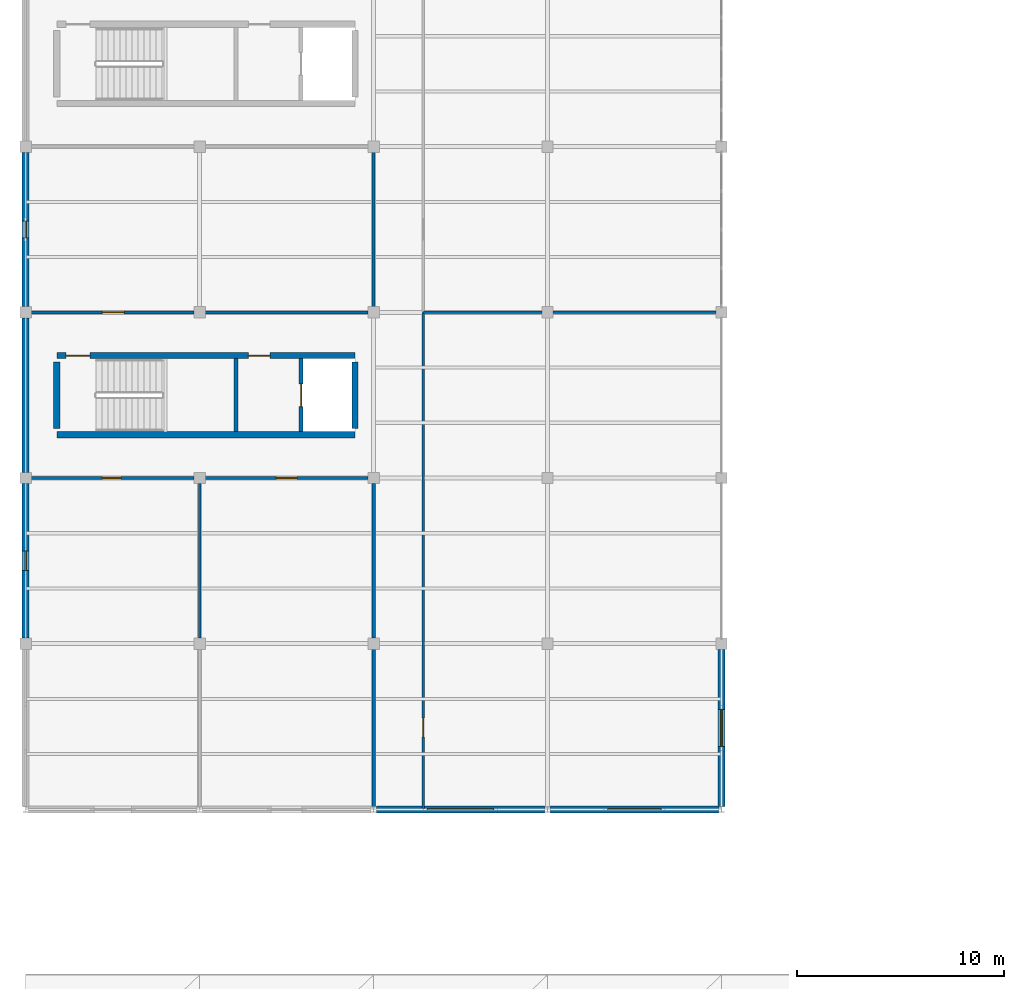
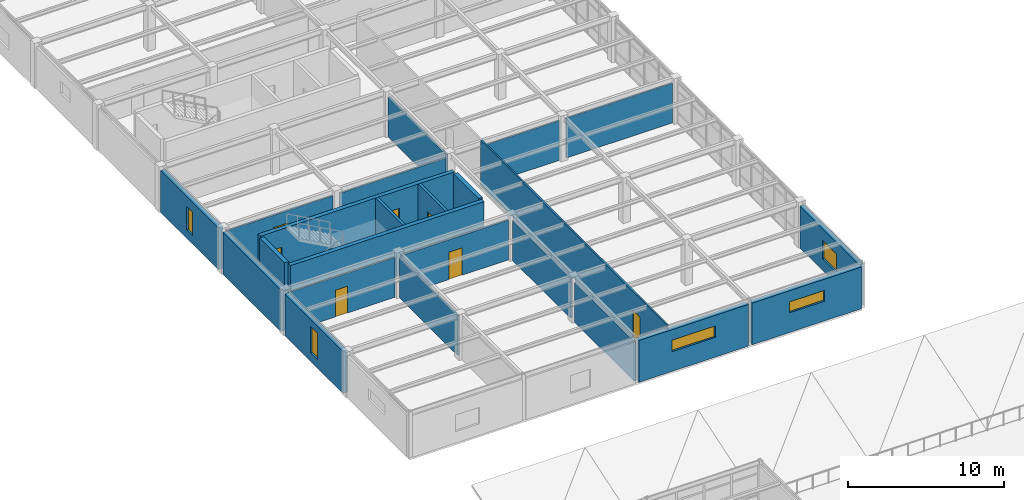
# One storey, part 41 of 53: 23 walls, 7 doors, 5 windows, 12 openings.
"""IFC4 building model written with IfcOpenShell, lengths in metres."""

from ifc_helpers import new_model, si_unit, direction, frame, frame_2d, origin, place, context, subcontext, project, spatial, rectangle, extrude, material, layer, layer_set, type_object, element, fill, save


model = new_model("IFC4")

# Units and contexts
model_context = context("Model", 3, precision=1e-05, world=origin(), true_north=direction((0.0, 1.0)))
body_context = subcontext(model_context, "Body", "Model", "MODEL_VIEW")
ifc_project = project(units=[si_unit("LENGTHUNIT", "METRE"), si_unit("AREAUNIT", "SQUARE_METRE"), si_unit("VOLUMEUNIT", "CUBIC_METRE"), si_unit("PLANEANGLEUNIT", "RADIAN"), si_unit("MASSUNIT", "GRAM", prefix="KILO")], contexts=[model_context])

# Site, building, storey
site_placement = place(None, origin())
site = spatial("IfcSite", under=ifc_project, at=site_placement, CompositionType="ELEMENT")
building_placement = place(site_placement, origin())
building = spatial("IfcBuilding", under=site, at=building_placement, Name="Kranzveld Transit Interchange", CompositionType="ELEMENT")
storey_placement = place(building_placement, frame((0.0, 0.0, 13.360107421875)))
storey = spatial("IfcBuildingStorey", under=building, at=storey_placement, Name="L03", CompositionType="ELEMENT", Elevation=13.360107421875)

# Wall, opening, door
ifc_material_1 = material(Name="Clay masonry unit wall, 20 MPa", Category="masonry")
ifc_layer_1 = layer(ifc_material_1, 0.1650390625)
ifc_layer_set_1 = layer_set([ifc_layer_1], Name="Clay masonry unit wall, 20 MPa")
wall_type_1 = type_object("IfcWallType", Name="Acoustic Double-Stud Partition 165", PredefinedType="PARTITIONING", material=ifc_layer_set_1)
wall_1_placement = place(storey_placement, frame((8.6650390625, 64.0, 0.0), z_axis=(0.0, 0.0, 1.0), x_axis=(1.0, 0.0, 0.0)))
wall_1 = element("IfcWall", 1, at=wall_1_placement, inside=storey, type_object=wall_type_1, Name="L03 Partition IW-L03-L03V5S-FRT-312-0", PredefinedType="PARTITIONING", context=body_context, shape_type="SweptSolid", body=[
    extrude(rectangle(XDim=7.869873046875, YDim=0.1650390625, at=frame_2d((3.93505859375, 0.0))), origin(), (0.0, 0.0, 1.0), 3.122802734375),
])
opening_1_placement = place(wall_1_placement, frame((4.43505859375, 0.0, 0.0), z_axis=(0.0, 0.0, 1.0), x_axis=(-1.0, 0.0, 0.0)))
opening_1 = element("IfcOpeningElement", 2, at=opening_1_placement, cuts=wall_1, Name="Opening D-312", PredefinedType="OPENING", context=body_context, shape_type="SweptSolid", body=[
    extrude(rectangle(XDim=1.0, YDim=2.14990234375, at=frame_2d((0.5, 1.074951171875))), frame((0.0, 0.092529296875, 0.0), z_axis=(0.0, -1.0, 0.0), x_axis=(1.0, 0.0, 0.0)), (0.0, 0.0, 1.0), 0.18505859375),
])
ifc_material_2 = material(Name="Bronze-anodised thermally broken aluminium", Category="aluminium")
door_type_1 = type_object("IfcDoorType", Name="Acoustic Timber Door 1000x2150", OperationType="NOTDEFINED", PredefinedType="DOOR", material=ifc_material_2)
door_1_placement = place(opening_1_placement, origin())
door_1 = element("IfcDoor", 3, at=door_1_placement, inside=storey, type_object=door_type_1, Name="L03 Interior Door D-312", OperationType="SINGLE_SWING_RIGHT", OverallHeight=2.14990234375, OverallWidth=1.0, PredefinedType="DOOR", context=body_context, shape_type="SweptSolid", body=[
    extrude(rectangle(XDim=1.0, YDim=2.14990234375, at=frame_2d((0.5, 1.074951171875))), frame((0.0, 0.02490234375, 0.0), z_axis=(0.0, -1.0, 0.0), x_axis=(1.0, 0.0, 0.0)), (0.0, 0.0, 1.0), 0.050048828125),
])
fill(opening_1, door_1)

# Walls
wall_2_placement = place(storey_placement, frame((16.800048828125, 48.1201171875, 0.0), z_axis=(0.0, 0.0, 1.0), x_axis=(0.0, 1.0, 0.0)))
element("IfcWall", 4, at=wall_2_placement, inside=storey, type_object=wall_type_1, Name="L03 Partition IW-L03-L03V5S-E-312-0", PredefinedType="PARTITIONING", context=body_context, shape_type="SweptSolid", body=[
    extrude(rectangle(XDim=7.614990234375, YDim=0.1650390625, at=frame_2d((3.8076171875, 0.0))), origin(), (0.0, 0.0, 1.0), 3.12646484375),
])
wall_3_placement = place(storey_placement, frame((16.800048828125, 56.264892578125, 0.0), z_axis=(0.0, 0.0, 1.0), x_axis=(0.0, 1.0, 0.0)))
element("IfcWall", 5, at=wall_3_placement, inside=storey, type_object=wall_type_1, Name="L03 Partition IW-L03-L03V5S-E-312-1", PredefinedType="PARTITIONING", context=body_context, shape_type="SweptSolid", body=[
    extrude(rectangle(XDim=7.47021484375, YDim=0.1650390625, at=frame_2d((3.735107421875, 0.0))), origin(), (0.0, 0.0, 1.0), 3.12646484375),
])

# Wall, opening, door
ifc_material_3 = material(Name="Clay masonry unit wall, 20 MPa", Category="masonry")
ifc_layer_2 = layer(ifc_material_3, 0.139892578125)
ifc_layer_set_2 = layer_set([ifc_layer_2], Name="Clay masonry unit wall, 20 MPa")
wall_type_2 = type_object("IfcWallType", Name="Acoustic Stud Partition 140", PredefinedType="PARTITIONING", material=ifc_layer_set_2)
wall_4_placement = place(storey_placement, frame((0.264892578125, 72.0, 0.0), z_axis=(0.0, 0.0, 1.0), x_axis=(1.0, 0.0, 0.0)))
wall_4 = element("IfcWall", 6, at=wall_4_placement, inside=storey, type_object=wall_type_2, Name="L03 Partition IW-L03-L03V5M-FRT-324-0", PredefinedType="PARTITIONING", context=body_context, shape_type="SweptSolid", body=[
    extrude(rectangle(XDim=7.8701171875, YDim=0.139892578125, at=frame_2d((3.93505859375, 0.0))), origin(), (0.0, 0.0, 1.0), 3.122802734375),
])
opening_2_placement = place(wall_4_placement, frame((3.43505859375, 0.0, 0.0), z_axis=(0.0, 0.0, 1.0), x_axis=(1.0, 0.0, 0.0)))
opening_2 = element("IfcOpeningElement", 7, at=opening_2_placement, cuts=wall_4, Name="Opening D-324", PredefinedType="OPENING", context=body_context, shape_type="SweptSolid", body=[
    extrude(rectangle(XDim=1.050048828125, YDim=2.14990234375, at=frame_2d((0.52490234375, 1.074951171875))), frame((0.0, 0.079833984375, 0.0), z_axis=(0.0, -1.0, 0.0), x_axis=(1.0, 0.0, 0.0)), (0.0, 0.0, 1.0), 0.159912109375),
])
ifc_material_4 = material(Name="Bronze-anodised thermally broken aluminium", Category="aluminium")
door_type_2 = type_object("IfcDoorType", Name="Acoustic Meeting Door 1050x2150", OperationType="NOTDEFINED", PredefinedType="DOOR", material=ifc_material_4)
door_2_placement = place(opening_2_placement, origin())
door_2 = element("IfcDoor", 8, at=door_2_placement, inside=storey, type_object=door_type_2, Name="L03 Interior Door D-324", OperationType="SINGLE_SWING_LEFT", OverallHeight=2.14990234375, OverallWidth=1.050048828125, PredefinedType="DOOR", context=body_context, shape_type="SweptSolid", body=[
    extrude(rectangle(XDim=1.050048828125, YDim=2.14990234375, at=frame_2d((0.52490234375, 1.074951171875))), frame((0.0, 0.02490234375, 0.0), z_axis=(0.0, -1.0, 0.0), x_axis=(1.0, 0.0, 0.0)), (0.0, 0.0, 1.0), 0.050048828125),
])
fill(opening_2, door_2)

# Walls
wall_5_placement = place(storey_placement, frame((8.6650390625, 72.0, 0.0), z_axis=(0.0, 0.0, 1.0), x_axis=(1.0, 0.0, 0.0)))
element("IfcWall", 9, at=wall_5_placement, inside=storey, type_object=wall_type_2, Name="L03 Partition IW-L03-L03V5M-FRT-324-1", PredefinedType="PARTITIONING", context=body_context, shape_type="SweptSolid", body=[
    extrude(rectangle(XDim=7.869873046875, YDim=0.139892578125, at=frame_2d((3.93505859375, 0.0))), origin(), (0.0, 0.0, 1.0), 3.122802734375),
])
wall_6_placement = place(storey_placement, frame((16.800048828125, 72.264892578125, 0.0), z_axis=(0.0, 0.0, 1.0), x_axis=(0.0, 1.0, 0.0)))
element("IfcWall", 10, at=wall_6_placement, inside=storey, type_object=wall_type_2, Name="L03 Partition IW-L03-L03V5M-E-324-0", PredefinedType="PARTITIONING", context=body_context, shape_type="SweptSolid", body=[
    extrude(rectangle(XDim=7.47021484375, YDim=0.139892578125, at=frame_2d((3.735107421875, 0.0))), origin(), (0.0, 0.0, 1.0), 3.12646484375),
])
ifc_material_5 = material(Name="Concrete C40/50", Category="concrete")
ifc_layer_3 = layer(ifc_material_5, 0.300048828125)
ifc_layer_set_3 = layer_set([ifc_layer_3], Name="Concrete C40/50")
wall_type_3 = type_object("IfcWallType", Name="Core Shear Wall RC 300 C40/50", PredefinedType="SHEAR", material=ifc_layer_set_3)
wall_7_placement = place(storey_placement, frame((1.5, 66.090087890625, 0.0), z_axis=(0.0, 0.0, 1.0), x_axis=(1.0, 0.0, 0.0)))
element("IfcWall", 11, at=wall_7_placement, inside=storey, type_object=wall_type_3, Name="L03 Operations Core C1 Shear Wall S", PredefinedType="SHEAR", context=body_context, shape_type="SweptSolid", body=[
    extrude(rectangle(XDim=14.39990234375, YDim=0.300048828125, at=frame_2d((7.199951171875, 0.0))), origin(), (0.0, 0.0, 1.0), 3.579833984375),
])

# Wall, openings, doors
wall_8_placement = place(storey_placement, frame((1.5, 69.909912109375, 0.0), z_axis=(0.0, 0.0, 1.0), x_axis=(1.0, 0.0, 0.0)))
wall_8 = element("IfcWall", 12, at=wall_8_placement, inside=storey, type_object=wall_type_3, Name="L03 Operations Core C1 Shear Wall N", PredefinedType="SHEAR", context=body_context, shape_type="SweptSolid", body=[
    extrude(rectangle(XDim=14.39990234375, YDim=0.300048828125, at=frame_2d((7.199951171875, 0.0))), origin(), (0.0, 0.0, 1.0), 3.579833984375),
])
opening_3_placement = place(wall_8_placement, frame((0.449951171875, 0.0, 0.0), z_axis=(0.0, 0.0, 1.0), x_axis=(1.0, 0.0, 0.0)))
opening_3 = element("IfcOpeningElement", 13, at=opening_3_placement, cuts=wall_8, Name="Opening D-ST-C1-L03", PredefinedType="OPENING", context=body_context, shape_type="SweptSolid", body=[
    extrude(rectangle(XDim=1.14990234375, YDim=2.14990234375, at=frame_2d((0.574951171875, 1.074951171875))), frame((0.0, 0.159912109375, 0.0), z_axis=(0.0, -1.0, 0.0), x_axis=(1.0, 0.0, 0.0)), (0.0, 0.0, 1.0), 0.320068359375),
])
opening_4_placement = place(wall_8_placement, frame((9.25, 0.0, 0.0), z_axis=(0.0, 0.0, 1.0), x_axis=(1.0, 0.0, 0.0)))
opening_4 = element("IfcOpeningElement", 14, at=opening_4_placement, cuts=wall_8, Name="Opening D-LB-C1-L03", PredefinedType="OPENING", context=body_context, shape_type="SweptSolid", body=[
    extrude(rectangle(XDim=1.050048828125, YDim=2.14990234375, at=frame_2d((0.52490234375, 1.074951171875))), frame((0.0, 0.159912109375, 0.0), z_axis=(0.0, -1.0, 0.0), x_axis=(1.0, 0.0, 0.0)), (0.0, 0.0, 1.0), 0.320068359375),
])
ifc_material_6 = material(Name="Steel S355JR", Category="steel")
door_type_3 = type_object("IfcDoorType", Name="Lift Lobby Fire Door 1050x2150 FD120S", OperationType="NOTDEFINED", PredefinedType="DOOR", material=ifc_material_6)
door_3_placement = place(opening_4_placement, origin())
door_3 = element("IfcDoor", 15, at=door_3_placement, inside=storey, type_object=door_type_3, Name="L03 Operations Core C1 Lift Protected Lobby Door", OperationType="SINGLE_SWING_RIGHT", OverallHeight=2.14990234375, OverallWidth=1.050048828125, PredefinedType="DOOR", context=body_context, shape_type="SweptSolid", body=[
    extrude(rectangle(XDim=1.050048828125, YDim=2.14990234375, at=frame_2d((0.52490234375, 1.074951171875))), frame((0.0, 0.02490234375, 0.0), z_axis=(0.0, -1.0, 0.0), x_axis=(1.0, 0.0, 0.0)), (0.0, 0.0, 1.0), 0.050048828125),
])
fill(opening_4, door_3)
ifc_material_7 = material(Name="Steel S355JR", Category="steel")
door_type_4 = type_object("IfcDoorType", Name="Stair Core Fire Door 1150x2150 FD120S", OperationType="NOTDEFINED", PredefinedType="DOOR", material=ifc_material_7)
door_4_placement = place(opening_3_placement, origin())
door_4 = element("IfcDoor", 16, at=door_4_placement, inside=storey, type_object=door_type_4, Name="L03 ST-C1 Protected Stair Door", OperationType="SINGLE_SWING_RIGHT", OverallHeight=2.14990234375, OverallWidth=1.14990234375, PredefinedType="DOOR", context=body_context, shape_type="SweptSolid", body=[
    extrude(rectangle(XDim=1.14990234375, YDim=2.14990234375, at=frame_2d((0.574951171875, 1.074951171875))), frame((0.0, 0.02490234375, 0.0), z_axis=(0.0, -1.0, 0.0), x_axis=(1.0, 0.0, 0.0)), (0.0, 0.0, 1.0), 0.050048828125),
])
fill(opening_3, door_4)

# Walls
for number, where, z_axis, x_axis, name in (
    (17, (1.5, 66.389892578125, 0.0), (0.0, 0.0, 1.0), (0.0, 1.0, 0.0), "L03 Operations Core C1 Shear Wall W"),
    (18, (15.89990234375, 66.389892578125, 0.0), (0.0, 0.0, 1.0), (0.0, 1.0, 0.0), "L03 Operations Core C1 Shear Wall E"),
):
    element("IfcWall", number, at=place(storey_placement, frame(where, z_axis=z_axis, x_axis=x_axis)), inside=storey, type_object=wall_type_3, Name=name, PredefinedType="SHEAR", context=body_context, shape_type="SweptSolid", body=[
        extrude(rectangle(XDim=3.22021484375, YDim=0.300048828125, at=frame_2d((1.610107421875, 0.0))), origin(), (0.0, 0.0, 1.0), 3.579833984375),
    ])

# Wall, opening, window
ifc_material_8 = material(Name="Pretoria red-purple clinker clay face brick, 35 MPa", Category="masonry")
ifc_layer_4 = layer(ifc_material_8, 0.340087890625)
ifc_layer_set_4 = layer_set([ifc_layer_4], Name="Pretoria red-purple clinker clay face brick, 35 MPa")
wall_type_4 = type_object("IfcWallType", Name="Exterior Cavity Wall Red Clinker 340", PredefinedType="SOLIDWALL", material=ifc_layer_set_4)
wall_9_placement = place(storey_placement, frame((33.60009765625, 48.130126953125, 0.0), z_axis=(0.0, 0.0, 1.0), x_axis=(0.0, 1.0, 0.0)))
wall_9 = element("IfcWall", 19, at=wall_9_placement, inside=storey, type_object=wall_type_4, Name="L03 Clinker Facade Wall 05/G-05/H", PredefinedType="SOLIDWALL", context=body_context, shape_type="SweptSolid", body=[
    extrude(rectangle(XDim=7.594970703125, YDim=0.340087890625, at=frame_2d((3.79736328125, 0.0))), origin(), (0.0, 0.0, 1.0), 3.27978515625),
])
opening_5_placement = place(wall_9_placement, frame((2.8974609375, 0.0, 0.89990234375), z_axis=(0.0, 0.0, 1.0), x_axis=(1.0, 0.0, 0.0)))
opening_5 = element("IfcOpeningElement", 20, at=opening_5_placement, cuts=wall_9, Name="Opening W-11", PredefinedType="OPENING", context=body_context, shape_type="SweptSolid", body=[
    extrude(rectangle(XDim=1.800048828125, YDim=1.449951171875, at=frame_2d((0.89990234375, 0.72509765625))), frame((0.0, 0.179931640625, 0.0), z_axis=(0.0, -1.0, 0.0), x_axis=(1.0, 0.0, 0.0)), (0.0, 0.0, 1.0), 0.360107421875),
])
ifc_material_9 = material(Name="Solar-control double glazing", Category="glass")
window_type_1 = type_object("IfcWindowType", Name="Window Office Double 1800x1450", PartitioningType="DOUBLE_PANEL_VERTICAL", PredefinedType="WINDOW", material=ifc_material_9)
window_1_placement = place(opening_5_placement, origin())
window_1 = element("IfcWindow", 21, at=window_1_placement, inside=storey, type_object=window_type_1, Name="L03 Facade Window 05/G", OverallHeight=1.449951171875, OverallWidth=1.800048828125, PartitioningType="DOUBLE_PANEL_VERTICAL", PredefinedType="WINDOW", context=body_context, shape_type="SweptSolid", body=[
    extrude(rectangle(XDim=1.800048828125, YDim=1.449951171875, at=frame_2d((0.89990234375, 0.72509765625))), frame((0.0, 0.030029296875, 0.0), z_axis=(0.0, -1.0, 0.0), x_axis=(1.0, 0.0, 0.0)), (0.0, 0.0, 1.0), 0.06005859375),
])
fill(opening_5, window_1)

wall_10_placement = place(storey_placement, frame((16.927978515625, 48.0, 0.0), z_axis=(0.0, 0.0, 1.0), x_axis=(1.0, 0.0, 0.0)))
wall_10 = element("IfcWall", 22, at=wall_10_placement, inside=storey, type_object=wall_type_4, Name="L03 Clinker Facade Wall 03/G-04/G", PredefinedType="SOLIDWALL", context=body_context, shape_type="SweptSolid", body=[
    extrude(rectangle(XDim=8.14404296875, YDim=0.340087890625, at=frame_2d((4.072021484375, 0.0))), origin(), (0.0, 0.0, 1.0), 3.27978515625),
])
opening_6_placement = place(wall_10_placement, frame((2.471923828125, 0.0, 1.550048828125), z_axis=(0.0, 0.0, 1.0), x_axis=(1.0, 0.0, 0.0)))
opening_6 = element("IfcOpeningElement", 23, at=opening_6_placement, cuts=wall_10, Name="Opening W-14", PredefinedType="OPENING", context=body_context, shape_type="SweptSolid", body=[
    extrude(rectangle(XDim=3.199951171875, YDim=0.89990234375, at=frame_2d((1.60009765625, 0.449951171875))), frame((0.0, 0.179931640625, 0.0), z_axis=(0.0, -1.0, 0.0), x_axis=(1.0, 0.0, 0.0)), (0.0, 0.0, 1.0), 0.360107421875),
])
ifc_material_10 = material(Name="Solar-control double glazing", Category="glass")
window_type_2 = type_object("IfcWindowType", Name="Window Clerestory 3200x900", PartitioningType="TRIPLE_PANEL_HORIZONTAL", PredefinedType="WINDOW", material=ifc_material_10)
window_2_placement = place(opening_6_placement, origin())
window_2 = element("IfcWindow", 24, at=window_2_placement, inside=storey, type_object=window_type_2, Name="L03 Facade Window 03/G", OverallHeight=0.89990234375, OverallWidth=3.199951171875, PartitioningType="TRIPLE_PANEL_HORIZONTAL", PredefinedType="WINDOW", context=body_context, shape_type="SweptSolid", body=[
    extrude(rectangle(XDim=3.199951171875, YDim=0.89990234375, at=frame_2d((1.60009765625, 0.449951171875))), frame((0.0, 0.030029296875, 0.0), z_axis=(0.0, -1.0, 0.0), x_axis=(1.0, 0.0, 0.0)), (0.0, 0.0, 1.0), 0.06005859375),
])
fill(opening_6, window_2)

wall_11_placement = place(storey_placement, frame((25.328125, 48.0, 0.0), z_axis=(0.0, 0.0, 1.0), x_axis=(1.0, 0.0, 0.0)))
wall_11 = element("IfcWall", 25, at=wall_11_placement, inside=storey, type_object=wall_type_4, Name="L03 Clinker Facade Wall 04/G-05/G", PredefinedType="SOLIDWALL", context=body_context, shape_type="SweptSolid", body=[
    extrude(rectangle(XDim=8.143798828125, YDim=0.340087890625, at=frame_2d((4.07177734375, 0.0))), origin(), (0.0, 0.0, 1.0), 3.27978515625),
])
opening_7_placement = place(wall_11_placement, frame((2.77197265625, 0.0, 1.550048828125), z_axis=(0.0, 0.0, 1.0), x_axis=(1.0, 0.0, 0.0)))
opening_7 = element("IfcOpeningElement", 26, at=opening_7_placement, cuts=wall_11, Name="Opening W-15", PredefinedType="OPENING", context=body_context, shape_type="SweptSolid", body=[
    extrude(rectangle(XDim=2.60009765625, YDim=0.85009765625, at=frame_2d((1.300048828125, 0.425048828125))), frame((0.0, 0.179931640625, 0.0), z_axis=(0.0, -1.0, 0.0), x_axis=(1.0, 0.0, 0.0)), (0.0, 0.0, 1.0), 0.360107421875),
])
ifc_material_11 = material(Name="Solar-control double glazing", Category="glass")
window_type_3 = type_object("IfcWindowType", Name="Window Clerestory 2600x850", PartitioningType="DOUBLE_PANEL_HORIZONTAL", PredefinedType="WINDOW", material=ifc_material_11)
window_3_placement = place(opening_7_placement, origin())
window_3 = element("IfcWindow", 27, at=window_3_placement, inside=storey, type_object=window_type_3, Name="L03 Facade Window 04/G", OverallHeight=0.85009765625, OverallWidth=2.60009765625, PartitioningType="DOUBLE_PANEL_HORIZONTAL", PredefinedType="WINDOW", context=body_context, shape_type="SweptSolid", body=[
    extrude(rectangle(XDim=2.60009765625, YDim=0.85009765625, at=frame_2d((1.300048828125, 0.425048828125))), frame((0.0, 0.030029296875, 0.0), z_axis=(0.0, -1.0, 0.0), x_axis=(1.0, 0.0, 0.0)), (0.0, 0.0, 1.0), 0.06005859375),
])
fill(opening_7, window_3)

wall_12_placement = place(storey_placement, frame((0.0, 56.27490234375, 0.0), z_axis=(0.0, 0.0, 1.0), x_axis=(0.0, 1.0, 0.0)))
wall_12 = element("IfcWall", 28, at=wall_12_placement, inside=storey, type_object=wall_type_4, Name="L03 Clinker Facade Wall 01/H-01/J", PredefinedType="SOLIDWALL", context=body_context, shape_type="SweptSolid", body=[
    extrude(rectangle(XDim=7.4501953125, YDim=0.340087890625, at=frame_2d((3.72509765625, 0.0))), origin(), (0.0, 0.0, 1.0), 3.27978515625),
])
opening_8_placement = place(wall_12_placement, frame((3.25, 0.0, 0.64990234375), z_axis=(0.0, 0.0, 1.0), x_axis=(1.0, 0.0, 0.0)))
opening_8 = element("IfcOpeningElement", 29, at=opening_8_placement, cuts=wall_12, Name="Opening W-17", PredefinedType="OPENING", context=body_context, shape_type="SweptSolid", body=[
    extrude(rectangle(XDim=0.949951171875, YDim=2.10009765625, at=frame_2d((0.47509765625, 1.050048828125))), frame((0.0, 0.179931640625, 0.0), z_axis=(0.0, -1.0, 0.0), x_axis=(1.0, 0.0, 0.0)), (0.0, 0.0, 1.0), 0.360107421875),
])
ifc_material_12 = material(Name="Solar-control double glazing", Category="glass")
window_type_4 = type_object("IfcWindowType", Name="Window Ladder Slot 950x2100", PartitioningType="SINGLE_PANEL", PredefinedType="WINDOW", material=ifc_material_12)
window_4_placement = place(opening_8_placement, origin())
window_4 = element("IfcWindow", 30, at=window_4_placement, inside=storey, type_object=window_type_4, Name="L03 Facade Window 01/H", OverallHeight=2.10009765625, OverallWidth=0.949951171875, PartitioningType="SINGLE_PANEL", PredefinedType="WINDOW", context=body_context, shape_type="SweptSolid", body=[
    extrude(rectangle(XDim=0.949951171875, YDim=2.10009765625, at=frame_2d((0.47509765625, 1.050048828125))), frame((0.0, 0.030029296875, 0.0), z_axis=(0.0, -1.0, 0.0), x_axis=(1.0, 0.0, 0.0)), (0.0, 0.0, 1.0), 0.06005859375),
])
fill(opening_8, window_4)

# Wall
wall_13_placement = place(storey_placement, frame((0.0, 64.27490234375, 0.0), z_axis=(0.0, 0.0, 1.0), x_axis=(0.0, 1.0, 0.0)))
element("IfcWall", 31, at=wall_13_placement, inside=storey, type_object=wall_type_4, Name="L03 Clinker Facade Wall 01/J-01/K", PredefinedType="SOLIDWALL", context=body_context, shape_type="SweptSolid", body=[
    extrude(rectangle(XDim=7.4501953125, YDim=0.340087890625, at=frame_2d((3.72509765625, 0.0))), origin(), (0.0, 0.0, 1.0), 3.27978515625),
])

# Wall, opening, window
wall_14_placement = place(storey_placement, frame((0.0, 72.27490234375, 0.0), z_axis=(0.0, 0.0, 1.0), x_axis=(0.0, 1.0, 0.0)))
wall_14 = element("IfcWall", 32, at=wall_14_placement, inside=storey, type_object=wall_type_4, Name="L03 Clinker Facade Wall 01/K-01/L", PredefinedType="SOLIDWALL", context=body_context, shape_type="SweptSolid", body=[
    extrude(rectangle(XDim=7.4501953125, YDim=0.340087890625, at=frame_2d((3.72509765625, 0.0))), origin(), (0.0, 0.0, 1.0), 3.27978515625),
])
opening_9_placement = place(wall_14_placement, frame((3.324951171875, 0.0, 0.64990234375), z_axis=(0.0, 0.0, 1.0), x_axis=(1.0, 0.0, 0.0)))
opening_9 = element("IfcOpeningElement", 33, at=opening_9_placement, cuts=wall_14, Name="Opening W-18", PredefinedType="OPENING", context=body_context, shape_type="SweptSolid", body=[
    extrude(rectangle(XDim=0.800048828125, YDim=1.85009765625, at=frame_2d((0.39990234375, 0.925048828125))), frame((0.0, 0.179931640625, 0.0), z_axis=(0.0, -1.0, 0.0), x_axis=(1.0, 0.0, 0.0)), (0.0, 0.0, 1.0), 0.360107421875),
])
ifc_material_13 = material(Name="Solar-control double glazing", Category="glass")
window_type_5 = type_object("IfcWindowType", Name="Window Ladder Slot 800x1850", PartitioningType="SINGLE_PANEL", PredefinedType="WINDOW", material=ifc_material_13)
window_5_placement = place(opening_9_placement, origin())
window_5 = element("IfcWindow", 34, at=window_5_placement, inside=storey, type_object=window_type_5, Name="L03 Facade Window 01/K", OverallHeight=1.85009765625, OverallWidth=0.800048828125, PartitioningType="SINGLE_PANEL", PredefinedType="WINDOW", context=body_context, shape_type="SweptSolid", body=[
    extrude(rectangle(XDim=0.800048828125, YDim=1.85009765625, at=frame_2d((0.39990234375, 0.925048828125))), frame((0.0, 0.030029296875, 0.0), z_axis=(0.0, -1.0, 0.0), x_axis=(1.0, 0.0, 0.0)), (0.0, 0.0, 1.0), 0.06005859375),
])
fill(opening_9, window_5)

# Wall, opening, door
ifc_material_14 = material(Name="Clay masonry unit wall, 20 MPa", Category="masonry")
ifc_layer_5 = layer(ifc_material_14, 0.125)
ifc_layer_set_5 = layer_set([ifc_layer_5], Name="Clay masonry unit wall, 20 MPa")
wall_type_5 = type_object("IfcWallType", Name="Internal Blockwork Partition 125", PredefinedType="PARTITIONING", material=ifc_layer_set_5)
wall_15_placement = place(storey_placement, frame((0.264892578125, 64.0, 0.0), z_axis=(0.0, 0.0, 1.0), x_axis=(1.0, 0.0, 0.0)))
wall_15 = element("IfcWall", 35, at=wall_15_placement, inside=storey, type_object=wall_type_5, Name="L03 Partition IW-L03-L03V5S-FRT-311-0", PredefinedType="PARTITIONING", context=body_context, shape_type="SweptSolid", body=[
    extrude(rectangle(XDim=7.8701171875, YDim=0.125, at=frame_2d((3.93505859375, 0.0))), origin(), (0.0, 0.0, 1.0), 3.122802734375),
])
opening_10_placement = place(wall_15_placement, frame((4.3349609375, 0.0, 0.0), z_axis=(0.0, 0.0, 1.0), x_axis=(-1.0, 0.0, 0.0)))
opening_10 = element("IfcOpeningElement", 36, at=opening_10_placement, cuts=wall_15, Name="Opening D-311", PredefinedType="OPENING", context=body_context, shape_type="SweptSolid", body=[
    extrude(rectangle(XDim=0.89990234375, YDim=2.10009765625, at=frame_2d((0.449951171875, 1.050048828125))), frame((0.0, 0.072509765625, 0.0), z_axis=(0.0, -1.0, 0.0), x_axis=(1.0, 0.0, 0.0)), (0.0, 0.0, 1.0), 0.14501953125),
])
ifc_material_15 = material(Name="Bronze-anodised thermally broken aluminium", Category="aluminium")
door_type_5 = type_object("IfcDoorType", Name="Staff Office Door 900x2100", OperationType="NOTDEFINED", PredefinedType="DOOR", material=ifc_material_15)
door_5_placement = place(opening_10_placement, origin())
door_5 = element("IfcDoor", 37, at=door_5_placement, inside=storey, type_object=door_type_5, Name="L03 Interior Door D-311", OperationType="SINGLE_SWING_LEFT", OverallHeight=2.10009765625, OverallWidth=0.89990234375, PredefinedType="DOOR", context=body_context, shape_type="SweptSolid", body=[
    extrude(rectangle(XDim=0.89990234375, YDim=2.10009765625, at=frame_2d((0.449951171875, 1.050048828125))), frame((0.0, 0.02490234375, 0.0), z_axis=(0.0, -1.0, 0.0), x_axis=(1.0, 0.0, 0.0)), (0.0, 0.0, 1.0), 0.050048828125),
])
fill(opening_10, door_5)

wall_16_placement = place(storey_placement, frame((19.199951171875, 48.0400390625, 0.0), z_axis=(0.0, 0.0, 1.0), x_axis=(0.0, 1.0, 0.0)))
wall_16 = element("IfcWall", 38, at=wall_16_placement, inside=storey, type_object=wall_type_5, Name="L03 Partition IW-L03-L03V5E-FRT-319-0", PredefinedType="PARTITIONING", context=body_context, shape_type="SweptSolid", body=[
    extrude(rectangle(XDim=23.9599609375, YDim=0.125, at=frame_2d((11.97998046875, 0.0))), origin(), (0.0, 0.0, 1.0), 3.579833984375),
])
opening_11_placement = place(wall_16_placement, frame((4.35986328125, 0.0, 0.0), z_axis=(0.0, 0.0, 1.0), x_axis=(-1.0, 0.0, 0.0)))
opening_11 = element("IfcOpeningElement", 39, at=opening_11_placement, cuts=wall_16, Name="Opening D-319", PredefinedType="OPENING", context=body_context, shape_type="SweptSolid", body=[
    extrude(rectangle(XDim=0.89990234375, YDim=2.10009765625, at=frame_2d((0.449951171875, 1.050048828125))), frame((0.0, 0.072509765625, 0.0), z_axis=(0.0, -1.0, 0.0), x_axis=(1.0, 0.0, 0.0)), (0.0, 0.0, 1.0), 0.14501953125),
])
door_6_placement = place(opening_11_placement, origin())
door_6 = element("IfcDoor", 40, at=door_6_placement, inside=storey, type_object=door_type_5, Name="L03 Interior Door D-319", OperationType="SINGLE_SWING_LEFT", OverallHeight=2.10009765625, OverallWidth=0.89990234375, PredefinedType="DOOR", context=body_context, shape_type="SweptSolid", body=[
    extrude(rectangle(XDim=0.89990234375, YDim=2.10009765625, at=frame_2d((0.449951171875, 1.050048828125))), frame((0.0, 0.02490234375, 0.0), z_axis=(0.0, -1.0, 0.0), x_axis=(1.0, 0.0, 0.0)), (0.0, 0.0, 1.0), 0.050048828125),
])
fill(opening_11, door_6)

# Walls
wall_17_placement = place(storey_placement, frame((8.39990234375, 56.264892578125, 0.0), z_axis=(0.0, 0.0, 1.0), x_axis=(0.0, 1.0, 0.0)))
element("IfcWall", 41, at=wall_17_placement, inside=storey, type_object=wall_type_5, Name="L03 Partition IW-L03-L03V5S-E-311-1", PredefinedType="PARTITIONING", context=body_context, shape_type="SweptSolid", body=[
    extrude(rectangle(XDim=7.47021484375, YDim=0.125, at=frame_2d((3.735107421875, 0.0))), origin(), (0.0, 0.0, 1.0), 3.12646484375),
])
wall_18_placement = place(storey_placement, frame((19.199951171875, 72.0, 0.0), z_axis=(0.0, 0.0, 1.0), x_axis=(1.0, 0.0, 0.0)))
element("IfcWall", 42, at=wall_18_placement, inside=storey, type_object=wall_type_5, Name="L03 Partition IW-L03-L03V5E-N-319-0", PredefinedType="PARTITIONING", context=body_context, shape_type="SweptSolid", body=[
    extrude(rectangle(XDim=5.735107421875, YDim=0.125, at=frame_2d((2.86767578125, 0.0))), origin(), (0.0, 0.0, 1.0), 3.122802734375),
])
wall_19_placement = place(storey_placement, frame((25.465087890625, 72.0, 0.0), z_axis=(0.0, 0.0, 1.0), x_axis=(1.0, 0.0, 0.0)))
element("IfcWall", 43, at=wall_19_placement, inside=storey, type_object=wall_type_5, Name="L03 Partition IW-L03-L03V5E-N-319-1", PredefinedType="PARTITIONING", context=body_context, shape_type="SweptSolid", body=[
    extrude(rectangle(XDim=7.869873046875, YDim=0.125, at=frame_2d((3.93505859375, 0.0))), origin(), (0.0, 0.0, 1.0), 3.122802734375),
])
ifc_material_16 = material(Name="Concrete C40/50", Category="concrete")
ifc_layer_6 = layer(ifc_material_16, 0.199951171875)
ifc_layer_set_6 = layer_set([ifc_layer_6], Name="Concrete C40/50")
wall_type_6 = type_object("IfcWallType", Name="Lift Shaft Enclosure Wall RC 200 EI120", PredefinedType="SHEAR", material=ifc_layer_set_6)
wall_20_placement = place(storey_placement, frame((10.14990234375, 66.239990234375, 0.0), z_axis=(0.0, 0.0, 1.0), x_axis=(0.0, 1.0, 0.0)))
element("IfcWall", 44, at=wall_20_placement, inside=storey, type_object=wall_type_6, Name="L03 Operations Core C1 Stair-Lobby Dividing Wall", PredefinedType="SHEAR", context=body_context, shape_type="SweptSolid", body=[
    extrude(rectangle(XDim=3.52001953125, YDim=0.199951171875, at=frame_2d((1.760009765625, 0.0))), origin(), (0.0, 0.0, 1.0), 3.579833984375),
])

# Wall, opening, door
wall_21_placement = place(storey_placement, frame((13.300048828125, 66.239990234375, 0.0), z_axis=(0.0, 0.0, 1.0), x_axis=(0.0, 1.0, 0.0)))
wall_21 = element("IfcWall", 45, at=wall_21_placement, inside=storey, type_object=wall_type_6, Name="L03 LF-C1 Shaft Front Wall", PredefinedType="SHEAR", context=body_context, shape_type="SweptSolid", body=[
    extrude(rectangle(XDim=3.52001953125, YDim=0.199951171875, at=frame_2d((1.760009765625, 0.0))), origin(), (0.0, 0.0, 1.0), 3.579833984375),
])
opening_12_placement = place(wall_21_placement, frame((1.2099609375, 0.0, 0.0), z_axis=(0.0, 0.0, 1.0), x_axis=(1.0, 0.0, 0.0)))
opening_12 = element("IfcOpeningElement", 46, at=opening_12_placement, cuts=wall_21, Name="Opening LD-LF-C1-L03", PredefinedType="OPENING", context=body_context, shape_type="SweptSolid", body=[
    extrude(rectangle(XDim=1.10009765625, YDim=2.14990234375, at=frame_2d((0.550048828125, 1.074951171875))), frame((0.0, 0.10986328125, 0.0), z_axis=(0.0, -1.0, 0.0), x_axis=(1.0, 0.0, 0.0)), (0.0, 0.0, 1.0), 0.219970703125),
])
ifc_material_17 = material(Name="Steel S355JR", Category="steel")
door_type_6 = type_object("IfcDoorType", Name="Lift Landing Sliding Door 1100x2150 FD120S", OperationType="NOTDEFINED", PredefinedType="DOOR", material=ifc_material_17)
door_7_placement = place(opening_12_placement, origin())
door_7 = element("IfcDoor", 47, at=door_7_placement, inside=storey, type_object=door_type_6, Name="L03 LF-C1 Sliding Landing Door", OperationType="DOUBLE_DOOR_SLIDING", OverallHeight=2.14990234375, OverallWidth=1.10009765625, PredefinedType="DOOR", context=body_context, shape_type="SweptSolid", body=[
    extrude(rectangle(XDim=1.10009765625, YDim=2.14990234375, at=frame_2d((0.550048828125, 1.074951171875))), frame((0.0, 0.02490234375, 0.0), z_axis=(0.0, -1.0, 0.0), x_axis=(1.0, 0.0, 0.0)), (0.0, 0.0, 1.0), 0.050048828125),
])
fill(opening_12, door_7)

save(model, "model.ifc")
